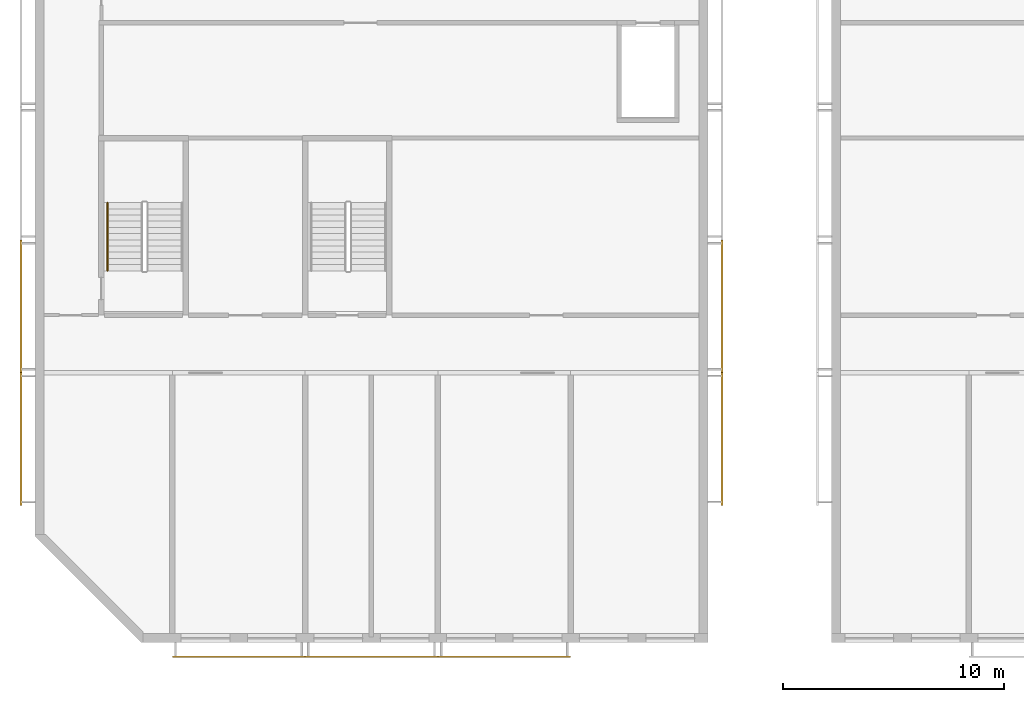
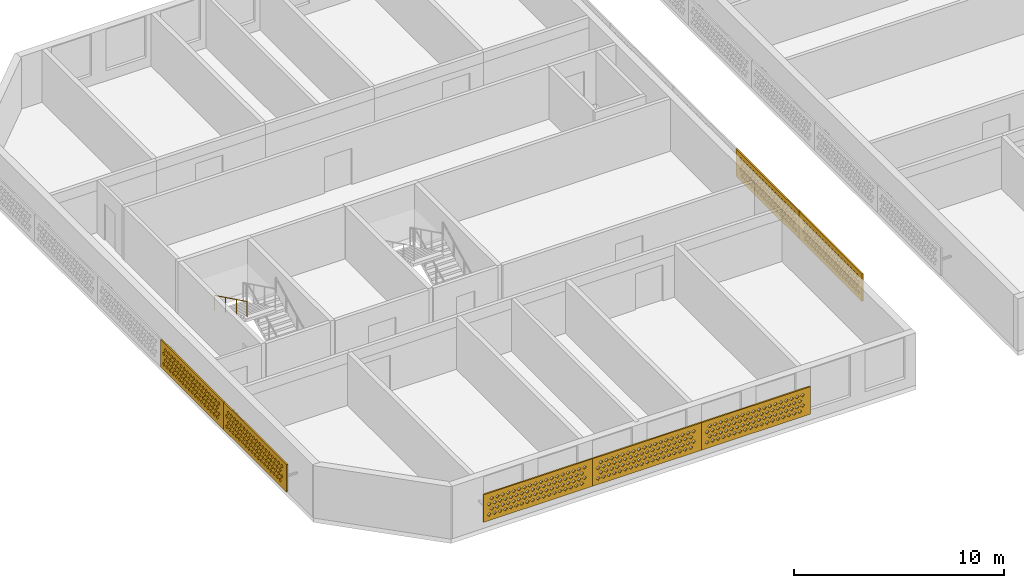
# One storey, part 7 of 16: 7 coverings, 1 railing.
"""IFC4 building model written with IfcOpenShell, lengths in metres."""

from ifc_helpers import new_model, si_unit, direction, frame, origin, origin_2d, place, context, subcontext, project, spatial, polyline, circle, outline, extrude, source, transform, mapped, material, material_profile, profile_set, type_object, element, save


model = new_model("IFC4")

# Units and contexts
model_context = context("Model", 3, precision=1e-05, world=origin(), true_north=direction((0.0, 1.0)))
body_context = subcontext(model_context, "Body", "Model", "MODEL_VIEW")
ifc_project = project(units=[si_unit("LENGTHUNIT", "METRE"), si_unit("AREAUNIT", "SQUARE_METRE"), si_unit("VOLUMEUNIT", "CUBIC_METRE"), si_unit("PLANEANGLEUNIT", "RADIAN"), si_unit("MASSUNIT", "GRAM", prefix="KILO")], contexts=[model_context])

# Site, building, storey
site_placement = place(None, origin())
site = spatial("IfcSite", under=ifc_project, at=site_placement, CompositionType="ELEMENT")
building_placement = place(site_placement, origin())
building = spatial("IfcBuilding", under=site, at=building_placement, Name="Poui Terraces", CompositionType="ELEMENT")
storey_placement = place(building_placement, frame((0.0, 0.0, 282.300048828125)))
storey = spatial("IfcBuildingStorey", under=building, at=storey_placement, Name="L78 CROWN", CompositionType="ELEMENT", Elevation=282.300048828125)

# Railing
ifc_material_1 = material(Name="Stainless steel handrail", Category="steel")
railing_type = type_object("IfcRailingType", Name="STAIR HANDRAIL 900", PredefinedType="HANDRAIL", material=ifc_material_1)
railing_placement = place(storey_placement, frame((21.074951171875, 19.679931640625, 1.787353515625)))
element("IfcRailing", 1, at=railing_placement, inside=storey, type_object=railing_type, Name="L78 CROWN ST-W stair handrail 2", PredefinedType="HANDRAIL", context=body_context, shape_type="SweptSolid", body=[
    extrude(circle(Radius=0.02392578125, at=origin_2d()), frame((0.0, 0.0, 0.8759765625), z_axis=(0.0, -0.897578036475, 0.440855609512), x_axis=(1.0, 0.0, 0.0)), (0.0, 0.0, 1.0), 3.43115234375),
    extrude(circle(Radius=0.02099609375, at=origin_2d()), origin(), (0.0, 0.0, 1.0), 0.851806640625),
    extrude(circle(Radius=0.02099609375, at=origin_2d()), frame((0.0, -1.026611328125, 0.504150390625)), (0.0, 0.0, 1.0), 0.851806640625),
    extrude(circle(Radius=0.02099609375, at=origin_2d()), frame((0.0, -2.05322265625, 1.008544921875)), (0.0, 0.0, 1.0), 0.851806640625),
    extrude(circle(Radius=0.02099609375, at=origin_2d()), frame((0.0, -3.079833984375, 1.5126953125)), (0.0, 0.0, 1.0), 0.851806640625),
])

# Coverings
ifc_material_2 = material(Name="Terracotta screen", Category="masonry")
ifc_material_profile = material_profile(ifc_material_2, outline(polyline([(-3.0, -0.800048828125), (3.0, -0.800048828125), (3.0, 0.800048828125), (-3.0, 0.800048828125), (-3.0, -0.800048828125)]), holes=[polyline([(-2.800048828125, -0.449951171875), (-2.68994140625, -0.56005859375), (-2.580078125, -0.449951171875), (-2.68994140625, -0.340087890625), (-2.800048828125, -0.449951171875)]), polyline([(-2.5, -0.449951171875), (-2.389892578125, -0.56005859375), (-2.280029296875, -0.449951171875), (-2.389892578125, -0.340087890625), (-2.5, -0.449951171875)]), polyline([(-2.199951171875, -0.449951171875), (-2.090087890625, -0.56005859375), (-1.97998046875, -0.449951171875), (-2.090087890625, -0.340087890625), (-2.199951171875, -0.449951171875)]), polyline([(-1.89990234375, -0.449951171875), (-1.7900390625, -0.56005859375), (-1.679931640625, -0.449951171875), (-1.7900390625, -0.340087890625), (-1.89990234375, -0.449951171875)]), polyline([(-1.60009765625, -0.449951171875), (-1.489990234375, -0.56005859375), (-1.3798828125, -0.449951171875), (-1.489990234375, -0.340087890625), (-1.60009765625, -0.449951171875)]), polyline([(-1.300048828125, -0.449951171875), (-1.18994140625, -0.56005859375), (-1.080078125, -0.449951171875), (-1.18994140625, -0.340087890625), (-1.300048828125, -0.449951171875)]), polyline([(-1.0, -0.449951171875), (-0.889892578125, -0.56005859375), (-0.780029296875, -0.449951171875), (-0.889892578125, -0.340087890625), (-1.0, -0.449951171875)]), polyline([(-0.699951171875, -0.449951171875), (-0.590087890625, -0.56005859375), (-0.47998046875, -0.449951171875), (-0.590087890625, -0.340087890625), (-0.699951171875, -0.449951171875)]), polyline([(-0.39990234375, -0.449951171875), (-0.2900390625, -0.56005859375), (-0.179931640625, -0.449951171875), (-0.2900390625, -0.340087890625), (-0.39990234375, -0.449951171875)]), polyline([(-0.10009765625, -0.449951171875), (0.010009765625, -0.56005859375), (0.1201171875, -0.449951171875), (0.010009765625, -0.340087890625), (-0.10009765625, -0.449951171875)]), polyline([(0.199951171875, -0.449951171875), (0.31005859375, -0.56005859375), (0.419921875, -0.449951171875), (0.31005859375, -0.340087890625), (0.199951171875, -0.449951171875)]), polyline([(0.5, -0.449951171875), (0.610107421875, -0.56005859375), (0.719970703125, -0.449951171875), (0.610107421875, -0.340087890625), (0.5, -0.449951171875)]), polyline([(0.800048828125, -0.449951171875), (0.909912109375, -0.56005859375), (1.02001953125, -0.449951171875), (0.909912109375, -0.340087890625), (0.800048828125, -0.449951171875)]), polyline([(1.10009765625, -0.449951171875), (1.2099609375, -0.56005859375), (1.320068359375, -0.449951171875), (1.2099609375, -0.340087890625), (1.10009765625, -0.449951171875)]), polyline([(1.39990234375, -0.449951171875), (1.510009765625, -0.56005859375), (1.6201171875, -0.449951171875), (1.510009765625, -0.340087890625), (1.39990234375, -0.449951171875)]), polyline([(1.699951171875, -0.449951171875), (1.81005859375, -0.56005859375), (1.919921875, -0.449951171875), (1.81005859375, -0.340087890625), (1.699951171875, -0.449951171875)]), polyline([(2.0, -0.449951171875), (2.110107421875, -0.56005859375), (2.219970703125, -0.449951171875), (2.110107421875, -0.340087890625), (2.0, -0.449951171875)]), polyline([(2.300048828125, -0.449951171875), (2.409912109375, -0.56005859375), (2.52001953125, -0.449951171875), (2.409912109375, -0.340087890625), (2.300048828125, -0.449951171875)]), polyline([(-2.64990234375, -0.14990234375), (-2.5400390625, -0.260009765625), (-2.429931640625, -0.14990234375), (-2.5400390625, -0.0400390625), (-2.64990234375, -0.14990234375)]), polyline([(-2.35009765625, -0.14990234375), (-2.239990234375, -0.260009765625), (-2.1298828125, -0.14990234375), (-2.239990234375, -0.0400390625), (-2.35009765625, -0.14990234375)]), polyline([(-2.050048828125, -0.14990234375), (-1.93994140625, -0.260009765625), (-1.830078125, -0.14990234375), (-1.93994140625, -0.0400390625), (-2.050048828125, -0.14990234375)]), polyline([(-1.75, -0.14990234375), (-1.639892578125, -0.260009765625), (-1.530029296875, -0.14990234375), (-1.639892578125, -0.0400390625), (-1.75, -0.14990234375)]), polyline([(-1.449951171875, -0.14990234375), (-1.340087890625, -0.260009765625), (-1.22998046875, -0.14990234375), (-1.340087890625, -0.0400390625), (-1.449951171875, -0.14990234375)]), polyline([(-1.14990234375, -0.14990234375), (-1.0400390625, -0.260009765625), (-0.929931640625, -0.14990234375), (-1.0400390625, -0.0400390625), (-1.14990234375, -0.14990234375)]), polyline([(-0.85009765625, -0.14990234375), (-0.739990234375, -0.260009765625), (-0.6298828125, -0.14990234375), (-0.739990234375, -0.0400390625), (-0.85009765625, -0.14990234375)]), polyline([(-0.550048828125, -0.14990234375), (-0.43994140625, -0.260009765625), (-0.330078125, -0.14990234375), (-0.43994140625, -0.0400390625), (-0.550048828125, -0.14990234375)]), polyline([(-0.25, -0.14990234375), (-0.139892578125, -0.260009765625), (-0.030029296875, -0.14990234375), (-0.139892578125, -0.0400390625), (-0.25, -0.14990234375)]), polyline([(0.050048828125, -0.14990234375), (0.159912109375, -0.260009765625), (0.27001953125, -0.14990234375), (0.159912109375, -0.0400390625), (0.050048828125, -0.14990234375)]), polyline([(0.35009765625, -0.14990234375), (0.4599609375, -0.260009765625), (0.570068359375, -0.14990234375), (0.4599609375, -0.0400390625), (0.35009765625, -0.14990234375)]), polyline([(0.64990234375, -0.14990234375), (0.760009765625, -0.260009765625), (0.8701171875, -0.14990234375), (0.760009765625, -0.0400390625), (0.64990234375, -0.14990234375)]), polyline([(0.949951171875, -0.14990234375), (1.06005859375, -0.260009765625), (1.169921875, -0.14990234375), (1.06005859375, -0.0400390625), (0.949951171875, -0.14990234375)]), polyline([(1.25, -0.14990234375), (1.360107421875, -0.260009765625), (1.469970703125, -0.14990234375), (1.360107421875, -0.0400390625), (1.25, -0.14990234375)]), polyline([(1.550048828125, -0.14990234375), (1.659912109375, -0.260009765625), (1.77001953125, -0.14990234375), (1.659912109375, -0.0400390625), (1.550048828125, -0.14990234375)]), polyline([(1.85009765625, -0.14990234375), (1.9599609375, -0.260009765625), (2.070068359375, -0.14990234375), (1.9599609375, -0.0400390625), (1.85009765625, -0.14990234375)]), polyline([(2.14990234375, -0.14990234375), (2.260009765625, -0.260009765625), (2.3701171875, -0.14990234375), (2.260009765625, -0.0400390625), (2.14990234375, -0.14990234375)]), polyline([(2.449951171875, -0.14990234375), (2.56005859375, -0.260009765625), (2.669921875, -0.14990234375), (2.56005859375, -0.0400390625), (2.449951171875, -0.14990234375)]), polyline([(-2.800048828125, 0.14990234375), (-2.68994140625, 0.0400390625), (-2.580078125, 0.14990234375), (-2.68994140625, 0.260009765625), (-2.800048828125, 0.14990234375)]), polyline([(-2.5, 0.14990234375), (-2.389892578125, 0.0400390625), (-2.280029296875, 0.14990234375), (-2.389892578125, 0.260009765625), (-2.5, 0.14990234375)]), polyline([(-2.199951171875, 0.14990234375), (-2.090087890625, 0.0400390625), (-1.97998046875, 0.14990234375), (-2.090087890625, 0.260009765625), (-2.199951171875, 0.14990234375)]), polyline([(-1.89990234375, 0.14990234375), (-1.7900390625, 0.0400390625), (-1.679931640625, 0.14990234375), (-1.7900390625, 0.260009765625), (-1.89990234375, 0.14990234375)]), polyline([(-1.60009765625, 0.14990234375), (-1.489990234375, 0.0400390625), (-1.3798828125, 0.14990234375), (-1.489990234375, 0.260009765625), (-1.60009765625, 0.14990234375)]), polyline([(-1.300048828125, 0.14990234375), (-1.18994140625, 0.0400390625), (-1.080078125, 0.14990234375), (-1.18994140625, 0.260009765625), (-1.300048828125, 0.14990234375)]), polyline([(-1.0, 0.14990234375), (-0.889892578125, 0.0400390625), (-0.780029296875, 0.14990234375), (-0.889892578125, 0.260009765625), (-1.0, 0.14990234375)]), polyline([(-0.699951171875, 0.14990234375), (-0.590087890625, 0.0400390625), (-0.47998046875, 0.14990234375), (-0.590087890625, 0.260009765625), (-0.699951171875, 0.14990234375)]), polyline([(-0.39990234375, 0.14990234375), (-0.2900390625, 0.0400390625), (-0.179931640625, 0.14990234375), (-0.2900390625, 0.260009765625), (-0.39990234375, 0.14990234375)]), polyline([(-0.10009765625, 0.14990234375), (0.010009765625, 0.0400390625), (0.1201171875, 0.14990234375), (0.010009765625, 0.260009765625), (-0.10009765625, 0.14990234375)]), polyline([(0.199951171875, 0.14990234375), (0.31005859375, 0.0400390625), (0.419921875, 0.14990234375), (0.31005859375, 0.260009765625), (0.199951171875, 0.14990234375)]), polyline([(0.5, 0.14990234375), (0.610107421875, 0.0400390625), (0.719970703125, 0.14990234375), (0.610107421875, 0.260009765625), (0.5, 0.14990234375)]), polyline([(0.800048828125, 0.14990234375), (0.909912109375, 0.0400390625), (1.02001953125, 0.14990234375), (0.909912109375, 0.260009765625), (0.800048828125, 0.14990234375)]), polyline([(1.10009765625, 0.14990234375), (1.2099609375, 0.0400390625), (1.320068359375, 0.14990234375), (1.2099609375, 0.260009765625), (1.10009765625, 0.14990234375)]), polyline([(1.39990234375, 0.14990234375), (1.510009765625, 0.0400390625), (1.6201171875, 0.14990234375), (1.510009765625, 0.260009765625), (1.39990234375, 0.14990234375)]), polyline([(1.699951171875, 0.14990234375), (1.81005859375, 0.0400390625), (1.919921875, 0.14990234375), (1.81005859375, 0.260009765625), (1.699951171875, 0.14990234375)]), polyline([(2.0, 0.14990234375), (2.110107421875, 0.0400390625), (2.219970703125, 0.14990234375), (2.110107421875, 0.260009765625), (2.0, 0.14990234375)]), polyline([(2.300048828125, 0.14990234375), (2.409912109375, 0.0400390625), (2.52001953125, 0.14990234375), (2.409912109375, 0.260009765625), (2.300048828125, 0.14990234375)]), polyline([(-2.64990234375, 0.449951171875), (-2.5400390625, 0.340087890625), (-2.429931640625, 0.449951171875), (-2.5400390625, 0.56005859375), (-2.64990234375, 0.449951171875)]), polyline([(-2.35009765625, 0.449951171875), (-2.239990234375, 0.340087890625), (-2.1298828125, 0.449951171875), (-2.239990234375, 0.56005859375), (-2.35009765625, 0.449951171875)]), polyline([(-2.050048828125, 0.449951171875), (-1.93994140625, 0.340087890625), (-1.830078125, 0.449951171875), (-1.93994140625, 0.56005859375), (-2.050048828125, 0.449951171875)]), polyline([(-1.75, 0.449951171875), (-1.639892578125, 0.340087890625), (-1.530029296875, 0.449951171875), (-1.639892578125, 0.56005859375), (-1.75, 0.449951171875)]), polyline([(-1.449951171875, 0.449951171875), (-1.340087890625, 0.340087890625), (-1.22998046875, 0.449951171875), (-1.340087890625, 0.56005859375), (-1.449951171875, 0.449951171875)]), polyline([(-1.14990234375, 0.449951171875), (-1.0400390625, 0.340087890625), (-0.929931640625, 0.449951171875), (-1.0400390625, 0.56005859375), (-1.14990234375, 0.449951171875)]), polyline([(-0.85009765625, 0.449951171875), (-0.739990234375, 0.340087890625), (-0.6298828125, 0.449951171875), (-0.739990234375, 0.56005859375), (-0.85009765625, 0.449951171875)]), polyline([(-0.550048828125, 0.449951171875), (-0.43994140625, 0.340087890625), (-0.330078125, 0.449951171875), (-0.43994140625, 0.56005859375), (-0.550048828125, 0.449951171875)]), polyline([(-0.25, 0.449951171875), (-0.139892578125, 0.340087890625), (-0.030029296875, 0.449951171875), (-0.139892578125, 0.56005859375), (-0.25, 0.449951171875)]), polyline([(0.050048828125, 0.449951171875), (0.159912109375, 0.340087890625), (0.27001953125, 0.449951171875), (0.159912109375, 0.56005859375), (0.050048828125, 0.449951171875)]), polyline([(0.35009765625, 0.449951171875), (0.4599609375, 0.340087890625), (0.570068359375, 0.449951171875), (0.4599609375, 0.56005859375), (0.35009765625, 0.449951171875)]), polyline([(0.64990234375, 0.449951171875), (0.760009765625, 0.340087890625), (0.8701171875, 0.449951171875), (0.760009765625, 0.56005859375), (0.64990234375, 0.449951171875)]), polyline([(0.949951171875, 0.449951171875), (1.06005859375, 0.340087890625), (1.169921875, 0.449951171875), (1.06005859375, 0.56005859375), (0.949951171875, 0.449951171875)]), polyline([(1.25, 0.449951171875), (1.360107421875, 0.340087890625), (1.469970703125, 0.449951171875), (1.360107421875, 0.56005859375), (1.25, 0.449951171875)]), polyline([(1.550048828125, 0.449951171875), (1.659912109375, 0.340087890625), (1.77001953125, 0.449951171875), (1.659912109375, 0.56005859375), (1.550048828125, 0.449951171875)]), polyline([(1.85009765625, 0.449951171875), (1.9599609375, 0.340087890625), (2.070068359375, 0.449951171875), (1.9599609375, 0.56005859375), (1.85009765625, 0.449951171875)]), polyline([(2.14990234375, 0.449951171875), (2.260009765625, 0.340087890625), (2.3701171875, 0.449951171875), (2.260009765625, 0.56005859375), (2.14990234375, 0.449951171875)]), polyline([(2.449951171875, 0.449951171875), (2.56005859375, 0.340087890625), (2.669921875, 0.449951171875), (2.56005859375, 0.56005859375), (2.449951171875, 0.449951171875)])]), Name="TERRACOTTA SOLAR SCREEN 6000X1600")
ifc_profile_set = profile_set([ifc_material_profile], Name="Terracotta screen")
covering_type = type_object("IfcCoveringType", Name="TERRACOTTA SOLAR SCREEN 6000X1600", PredefinedType="CLADDING", material=ifc_profile_set)
shared_shape = source(origin(), body_context, "Body", "SweptSolid", [
    extrude(outline(polyline([(-3.0, -0.800048828125), (3.0, -0.800048828125), (3.0, 0.800048828125), (-3.0, 0.800048828125), (-3.0, -0.800048828125)]), holes=[polyline([(-2.800048828125, -0.449951171875), (-2.68994140625, -0.56005859375), (-2.580078125, -0.449951171875), (-2.68994140625, -0.340087890625), (-2.800048828125, -0.449951171875)]), polyline([(-2.5, -0.449951171875), (-2.389892578125, -0.56005859375), (-2.280029296875, -0.449951171875), (-2.389892578125, -0.340087890625), (-2.5, -0.449951171875)]), polyline([(-2.199951171875, -0.449951171875), (-2.090087890625, -0.56005859375), (-1.97998046875, -0.449951171875), (-2.090087890625, -0.340087890625), (-2.199951171875, -0.449951171875)]), polyline([(-1.89990234375, -0.449951171875), (-1.7900390625, -0.56005859375), (-1.679931640625, -0.449951171875), (-1.7900390625, -0.340087890625), (-1.89990234375, -0.449951171875)]), polyline([(-1.60009765625, -0.449951171875), (-1.489990234375, -0.56005859375), (-1.3798828125, -0.449951171875), (-1.489990234375, -0.340087890625), (-1.60009765625, -0.449951171875)]), polyline([(-1.300048828125, -0.449951171875), (-1.18994140625, -0.56005859375), (-1.080078125, -0.449951171875), (-1.18994140625, -0.340087890625), (-1.300048828125, -0.449951171875)]), polyline([(-1.0, -0.449951171875), (-0.889892578125, -0.56005859375), (-0.780029296875, -0.449951171875), (-0.889892578125, -0.340087890625), (-1.0, -0.449951171875)]), polyline([(-0.699951171875, -0.449951171875), (-0.590087890625, -0.56005859375), (-0.47998046875, -0.449951171875), (-0.590087890625, -0.340087890625), (-0.699951171875, -0.449951171875)]), polyline([(-0.39990234375, -0.449951171875), (-0.2900390625, -0.56005859375), (-0.179931640625, -0.449951171875), (-0.2900390625, -0.340087890625), (-0.39990234375, -0.449951171875)]), polyline([(-0.10009765625, -0.449951171875), (0.010009765625, -0.56005859375), (0.1201171875, -0.449951171875), (0.010009765625, -0.340087890625), (-0.10009765625, -0.449951171875)]), polyline([(0.199951171875, -0.449951171875), (0.31005859375, -0.56005859375), (0.419921875, -0.449951171875), (0.31005859375, -0.340087890625), (0.199951171875, -0.449951171875)]), polyline([(0.5, -0.449951171875), (0.610107421875, -0.56005859375), (0.719970703125, -0.449951171875), (0.610107421875, -0.340087890625), (0.5, -0.449951171875)]), polyline([(0.800048828125, -0.449951171875), (0.909912109375, -0.56005859375), (1.02001953125, -0.449951171875), (0.909912109375, -0.340087890625), (0.800048828125, -0.449951171875)]), polyline([(1.10009765625, -0.449951171875), (1.2099609375, -0.56005859375), (1.320068359375, -0.449951171875), (1.2099609375, -0.340087890625), (1.10009765625, -0.449951171875)]), polyline([(1.39990234375, -0.449951171875), (1.510009765625, -0.56005859375), (1.6201171875, -0.449951171875), (1.510009765625, -0.340087890625), (1.39990234375, -0.449951171875)]), polyline([(1.699951171875, -0.449951171875), (1.81005859375, -0.56005859375), (1.919921875, -0.449951171875), (1.81005859375, -0.340087890625), (1.699951171875, -0.449951171875)]), polyline([(2.0, -0.449951171875), (2.110107421875, -0.56005859375), (2.219970703125, -0.449951171875), (2.110107421875, -0.340087890625), (2.0, -0.449951171875)]), polyline([(2.300048828125, -0.449951171875), (2.409912109375, -0.56005859375), (2.52001953125, -0.449951171875), (2.409912109375, -0.340087890625), (2.300048828125, -0.449951171875)]), polyline([(-2.64990234375, -0.14990234375), (-2.5400390625, -0.260009765625), (-2.429931640625, -0.14990234375), (-2.5400390625, -0.0400390625), (-2.64990234375, -0.14990234375)]), polyline([(-2.35009765625, -0.14990234375), (-2.239990234375, -0.260009765625), (-2.1298828125, -0.14990234375), (-2.239990234375, -0.0400390625), (-2.35009765625, -0.14990234375)]), polyline([(-2.050048828125, -0.14990234375), (-1.93994140625, -0.260009765625), (-1.830078125, -0.14990234375), (-1.93994140625, -0.0400390625), (-2.050048828125, -0.14990234375)]), polyline([(-1.75, -0.14990234375), (-1.639892578125, -0.260009765625), (-1.530029296875, -0.14990234375), (-1.639892578125, -0.0400390625), (-1.75, -0.14990234375)]), polyline([(-1.449951171875, -0.14990234375), (-1.340087890625, -0.260009765625), (-1.22998046875, -0.14990234375), (-1.340087890625, -0.0400390625), (-1.449951171875, -0.14990234375)]), polyline([(-1.14990234375, -0.14990234375), (-1.0400390625, -0.260009765625), (-0.929931640625, -0.14990234375), (-1.0400390625, -0.0400390625), (-1.14990234375, -0.14990234375)]), polyline([(-0.85009765625, -0.14990234375), (-0.739990234375, -0.260009765625), (-0.6298828125, -0.14990234375), (-0.739990234375, -0.0400390625), (-0.85009765625, -0.14990234375)]), polyline([(-0.550048828125, -0.14990234375), (-0.43994140625, -0.260009765625), (-0.330078125, -0.14990234375), (-0.43994140625, -0.0400390625), (-0.550048828125, -0.14990234375)]), polyline([(-0.25, -0.14990234375), (-0.139892578125, -0.260009765625), (-0.030029296875, -0.14990234375), (-0.139892578125, -0.0400390625), (-0.25, -0.14990234375)]), polyline([(0.050048828125, -0.14990234375), (0.159912109375, -0.260009765625), (0.27001953125, -0.14990234375), (0.159912109375, -0.0400390625), (0.050048828125, -0.14990234375)]), polyline([(0.35009765625, -0.14990234375), (0.4599609375, -0.260009765625), (0.570068359375, -0.14990234375), (0.4599609375, -0.0400390625), (0.35009765625, -0.14990234375)]), polyline([(0.64990234375, -0.14990234375), (0.760009765625, -0.260009765625), (0.8701171875, -0.14990234375), (0.760009765625, -0.0400390625), (0.64990234375, -0.14990234375)]), polyline([(0.949951171875, -0.14990234375), (1.06005859375, -0.260009765625), (1.169921875, -0.14990234375), (1.06005859375, -0.0400390625), (0.949951171875, -0.14990234375)]), polyline([(1.25, -0.14990234375), (1.360107421875, -0.260009765625), (1.469970703125, -0.14990234375), (1.360107421875, -0.0400390625), (1.25, -0.14990234375)]), polyline([(1.550048828125, -0.14990234375), (1.659912109375, -0.260009765625), (1.77001953125, -0.14990234375), (1.659912109375, -0.0400390625), (1.550048828125, -0.14990234375)]), polyline([(1.85009765625, -0.14990234375), (1.9599609375, -0.260009765625), (2.070068359375, -0.14990234375), (1.9599609375, -0.0400390625), (1.85009765625, -0.14990234375)]), polyline([(2.14990234375, -0.14990234375), (2.260009765625, -0.260009765625), (2.3701171875, -0.14990234375), (2.260009765625, -0.0400390625), (2.14990234375, -0.14990234375)]), polyline([(2.449951171875, -0.14990234375), (2.56005859375, -0.260009765625), (2.669921875, -0.14990234375), (2.56005859375, -0.0400390625), (2.449951171875, -0.14990234375)]), polyline([(-2.800048828125, 0.14990234375), (-2.68994140625, 0.0400390625), (-2.580078125, 0.14990234375), (-2.68994140625, 0.260009765625), (-2.800048828125, 0.14990234375)]), polyline([(-2.5, 0.14990234375), (-2.389892578125, 0.0400390625), (-2.280029296875, 0.14990234375), (-2.389892578125, 0.260009765625), (-2.5, 0.14990234375)]), polyline([(-2.199951171875, 0.14990234375), (-2.090087890625, 0.0400390625), (-1.97998046875, 0.14990234375), (-2.090087890625, 0.260009765625), (-2.199951171875, 0.14990234375)]), polyline([(-1.89990234375, 0.14990234375), (-1.7900390625, 0.0400390625), (-1.679931640625, 0.14990234375), (-1.7900390625, 0.260009765625), (-1.89990234375, 0.14990234375)]), polyline([(-1.60009765625, 0.14990234375), (-1.489990234375, 0.0400390625), (-1.3798828125, 0.14990234375), (-1.489990234375, 0.260009765625), (-1.60009765625, 0.14990234375)]), polyline([(-1.300048828125, 0.14990234375), (-1.18994140625, 0.0400390625), (-1.080078125, 0.14990234375), (-1.18994140625, 0.260009765625), (-1.300048828125, 0.14990234375)]), polyline([(-1.0, 0.14990234375), (-0.889892578125, 0.0400390625), (-0.780029296875, 0.14990234375), (-0.889892578125, 0.260009765625), (-1.0, 0.14990234375)]), polyline([(-0.699951171875, 0.14990234375), (-0.590087890625, 0.0400390625), (-0.47998046875, 0.14990234375), (-0.590087890625, 0.260009765625), (-0.699951171875, 0.14990234375)]), polyline([(-0.39990234375, 0.14990234375), (-0.2900390625, 0.0400390625), (-0.179931640625, 0.14990234375), (-0.2900390625, 0.260009765625), (-0.39990234375, 0.14990234375)]), polyline([(-0.10009765625, 0.14990234375), (0.010009765625, 0.0400390625), (0.1201171875, 0.14990234375), (0.010009765625, 0.260009765625), (-0.10009765625, 0.14990234375)]), polyline([(0.199951171875, 0.14990234375), (0.31005859375, 0.0400390625), (0.419921875, 0.14990234375), (0.31005859375, 0.260009765625), (0.199951171875, 0.14990234375)]), polyline([(0.5, 0.14990234375), (0.610107421875, 0.0400390625), (0.719970703125, 0.14990234375), (0.610107421875, 0.260009765625), (0.5, 0.14990234375)]), polyline([(0.800048828125, 0.14990234375), (0.909912109375, 0.0400390625), (1.02001953125, 0.14990234375), (0.909912109375, 0.260009765625), (0.800048828125, 0.14990234375)]), polyline([(1.10009765625, 0.14990234375), (1.2099609375, 0.0400390625), (1.320068359375, 0.14990234375), (1.2099609375, 0.260009765625), (1.10009765625, 0.14990234375)]), polyline([(1.39990234375, 0.14990234375), (1.510009765625, 0.0400390625), (1.6201171875, 0.14990234375), (1.510009765625, 0.260009765625), (1.39990234375, 0.14990234375)]), polyline([(1.699951171875, 0.14990234375), (1.81005859375, 0.0400390625), (1.919921875, 0.14990234375), (1.81005859375, 0.260009765625), (1.699951171875, 0.14990234375)]), polyline([(2.0, 0.14990234375), (2.110107421875, 0.0400390625), (2.219970703125, 0.14990234375), (2.110107421875, 0.260009765625), (2.0, 0.14990234375)]), polyline([(2.300048828125, 0.14990234375), (2.409912109375, 0.0400390625), (2.52001953125, 0.14990234375), (2.409912109375, 0.260009765625), (2.300048828125, 0.14990234375)]), polyline([(-2.64990234375, 0.449951171875), (-2.5400390625, 0.340087890625), (-2.429931640625, 0.449951171875), (-2.5400390625, 0.56005859375), (-2.64990234375, 0.449951171875)]), polyline([(-2.35009765625, 0.449951171875), (-2.239990234375, 0.340087890625), (-2.1298828125, 0.449951171875), (-2.239990234375, 0.56005859375), (-2.35009765625, 0.449951171875)]), polyline([(-2.050048828125, 0.449951171875), (-1.93994140625, 0.340087890625), (-1.830078125, 0.449951171875), (-1.93994140625, 0.56005859375), (-2.050048828125, 0.449951171875)]), polyline([(-1.75, 0.449951171875), (-1.639892578125, 0.340087890625), (-1.530029296875, 0.449951171875), (-1.639892578125, 0.56005859375), (-1.75, 0.449951171875)]), polyline([(-1.449951171875, 0.449951171875), (-1.340087890625, 0.340087890625), (-1.22998046875, 0.449951171875), (-1.340087890625, 0.56005859375), (-1.449951171875, 0.449951171875)]), polyline([(-1.14990234375, 0.449951171875), (-1.0400390625, 0.340087890625), (-0.929931640625, 0.449951171875), (-1.0400390625, 0.56005859375), (-1.14990234375, 0.449951171875)]), polyline([(-0.85009765625, 0.449951171875), (-0.739990234375, 0.340087890625), (-0.6298828125, 0.449951171875), (-0.739990234375, 0.56005859375), (-0.85009765625, 0.449951171875)]), polyline([(-0.550048828125, 0.449951171875), (-0.43994140625, 0.340087890625), (-0.330078125, 0.449951171875), (-0.43994140625, 0.56005859375), (-0.550048828125, 0.449951171875)]), polyline([(-0.25, 0.449951171875), (-0.139892578125, 0.340087890625), (-0.030029296875, 0.449951171875), (-0.139892578125, 0.56005859375), (-0.25, 0.449951171875)]), polyline([(0.050048828125, 0.449951171875), (0.159912109375, 0.340087890625), (0.27001953125, 0.449951171875), (0.159912109375, 0.56005859375), (0.050048828125, 0.449951171875)]), polyline([(0.35009765625, 0.449951171875), (0.4599609375, 0.340087890625), (0.570068359375, 0.449951171875), (0.4599609375, 0.56005859375), (0.35009765625, 0.449951171875)]), polyline([(0.64990234375, 0.449951171875), (0.760009765625, 0.340087890625), (0.8701171875, 0.449951171875), (0.760009765625, 0.56005859375), (0.64990234375, 0.449951171875)]), polyline([(0.949951171875, 0.449951171875), (1.06005859375, 0.340087890625), (1.169921875, 0.449951171875), (1.06005859375, 0.56005859375), (0.949951171875, 0.449951171875)]), polyline([(1.25, 0.449951171875), (1.360107421875, 0.340087890625), (1.469970703125, 0.449951171875), (1.360107421875, 0.56005859375), (1.25, 0.449951171875)]), polyline([(1.550048828125, 0.449951171875), (1.659912109375, 0.340087890625), (1.77001953125, 0.449951171875), (1.659912109375, 0.56005859375), (1.550048828125, 0.449951171875)]), polyline([(1.85009765625, 0.449951171875), (1.9599609375, 0.340087890625), (2.070068359375, 0.449951171875), (1.9599609375, 0.56005859375), (1.85009765625, 0.449951171875)]), polyline([(2.14990234375, 0.449951171875), (2.260009765625, 0.340087890625), (2.3701171875, 0.449951171875), (2.260009765625, 0.56005859375), (2.14990234375, 0.449951171875)]), polyline([(2.449951171875, 0.449951171875), (2.56005859375, 0.340087890625), (2.669921875, 0.449951171875), (2.56005859375, 0.56005859375), (2.449951171875, 0.449951171875)])]), origin(), (0.0, 0.0, 1.0), 0.079833984375),
])
for number, where, z_axis, x_axis, name in (
    (2, (27.0, -0.800048828125, 1.699951171875), (0.0, -1.0, 0.0), (1.0, 0.0, 0.0), "SOLAR SCREEN"),
    (3, (33.0, -0.800048828125, 1.699951171875), (0.0, -1.0, 0.0), (1.0, 0.0, 0.0), "SOLAR SCREEN"),
    (4, (39.0, -0.800048828125, 1.699951171875), (0.0, -1.0, 0.0), (1.0, 0.0, 0.0), "SOLAR SCREEN"),
    (5, (48.800048828125, 9.0, 1.699951171875), (1.0, 0.0, 0.0), (0.0, 1.0, 0.0), "SOLAR SCREEN"),
    (6, (48.800048828125, 15.0, 1.699951171875), (1.0, 0.0, 0.0), (0.0, 1.0, 0.0), "SOLAR SCREEN"),
    (7, (17.199951171875, 9.0, 1.699951171875), (-1.0, 0.0, 0.0), (0.0, -1.0, 0.0), "SOLAR SCREEN"),
    (8, (17.199951171875, 15.0, 1.699951171875), (-1.0, 0.0, 0.0), (0.0, -1.0, 0.0), "SOLAR SCREEN"),
):
    element("IfcCovering", number, at=place(storey_placement, frame(where, z_axis=z_axis, x_axis=x_axis)), inside=storey, type_object=covering_type, Name=name, PredefinedType="CLADDING", context=body_context, shape_type="MappedRepresentation", body=[
        mapped(shared_shape, transform((0.0, 0.0, 0.0))),
    ])

save(model, "model.ifc")
